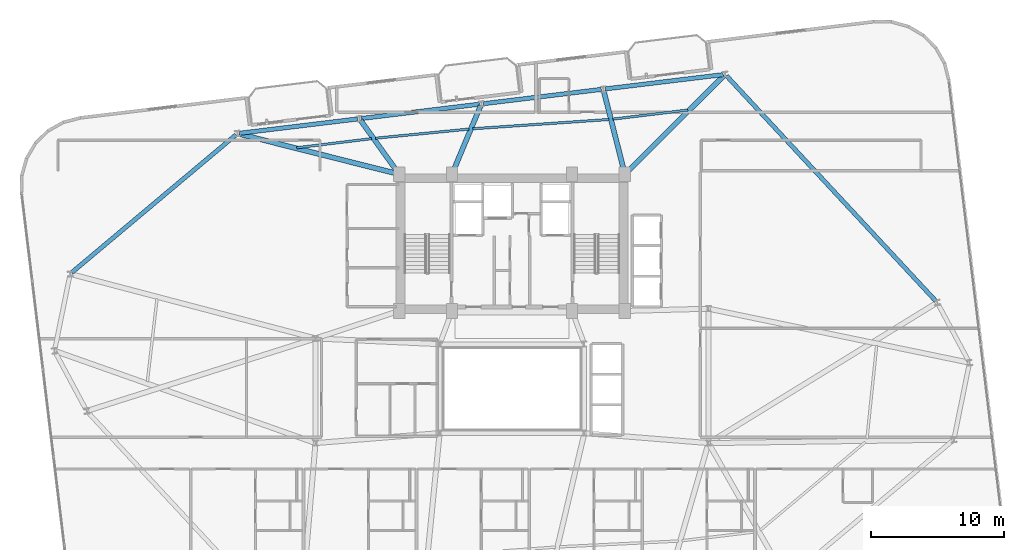
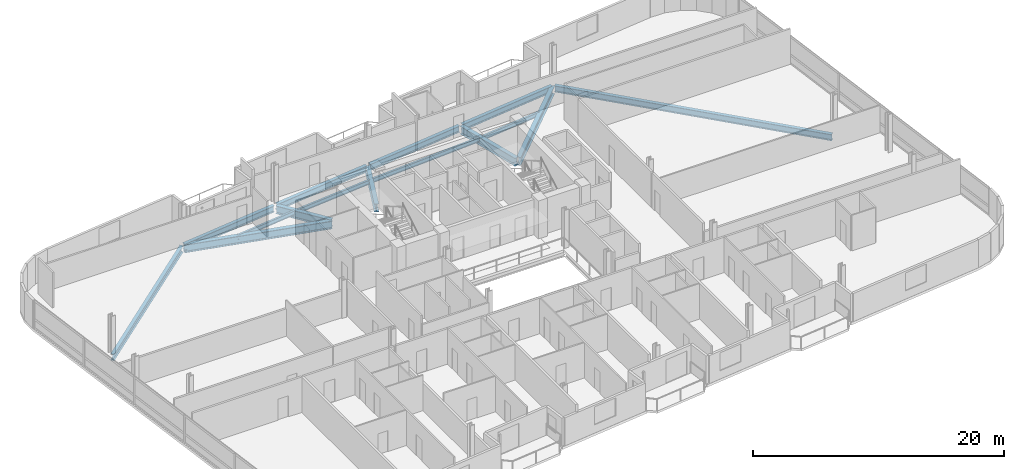
# One storey, part 9 of 23: 15 beams.
"""IFC4 building model written with IfcOpenShell, lengths in metres."""

from ifc_helpers import new_model, si_unit, direction, frame, origin, origin_2d, place, context, subcontext, project, spatial, i_section, extrude, material, material_profile, profile_set, type_object, element, save


model = new_model("IFC4")

# Units and contexts
model_context = context("Model", 3, precision=1e-05, world=origin(), true_north=direction((0.0, 1.0)))
body_context = subcontext(model_context, "Body", "Model", "MODEL_VIEW")
ifc_project = project(units=[si_unit("LENGTHUNIT", "METRE"), si_unit("AREAUNIT", "SQUARE_METRE"), si_unit("VOLUMEUNIT", "CUBIC_METRE"), si_unit("PLANEANGLEUNIT", "RADIAN"), si_unit("MASSUNIT", "GRAM", prefix="KILO")], contexts=[model_context])

# Site, building, storey
site_placement = place(None, origin())
site = spatial("IfcSite", under=ifc_project, at=site_placement, CompositionType="ELEMENT")
building_placement = place(site_placement, origin())
building = spatial("IfcBuilding", under=site, at=building_placement, Name="Varnelok Gate Tower", CompositionType="ELEMENT")
storey_placement = place(building_placement, frame((0.0, 0.0, 193.10009765625)))
storey = spatial("IfcBuildingStorey", under=building, at=storey_placement, Name="L49", CompositionType="ELEMENT", Elevation=193.10009765625)

# Beams
ifc_material = material(Name="Structural Steel ASTM A992 Grade 50", Category="steel")
ifc_material_profile_1 = material_profile(ifc_material, i_section(OverallWidth=0.180908203125, OverallDepth=0.4169921875, WebThickness=0.010986328125, FlangeThickness=0.018310546875, FilletRadius=0.013916015625, at=origin_2d()), Name="W16X57")
ifc_profile_set_1 = profile_set([ifc_material_profile_1], Name="Structural Steel ASTM A992 Grade 50")
beam_type_1 = type_object("IfcBeamType", Name="BM-JST-W16X57", PredefinedType="JOIST", material=ifc_profile_set_1)
beam_1_placement = place(storey_placement, frame((52.435546875, 43.881591796875, -0.45849609375), z_axis=(-0.992732072323, -0.12034547179, 0.0), x_axis=(0.12034547179, -0.992732072323, 0.0)))
element("IfcBeam", 1, at=beam_1_placement, inside=storey, type_object=beam_type_1, Name="L49 Sector Floor Joist 7", PredefinedType="JOIST", context=body_context, shape_type="SweptSolid", body=[
    extrude(i_section(OverallWidth=0.180908203125, OverallDepth=0.4169921875, WebThickness=0.010986328125, FlangeThickness=0.018310546875, FilletRadius=0.013916015625, at=origin_2d()), origin(), (0.0, 0.0, 1.0), 5.686279296875),
])
beam_2_placement = place(storey_placement, frame((46.511962890625, 43.1708984375, -0.45849609375), z_axis=(-0.997689983187, -0.067931564447, 0.0), x_axis=(0.067931564447, -0.997689983187, 0.0)))
element("IfcBeam", 2, at=beam_2_placement, inside=storey, type_object=beam_type_1, Name="L49 Sector Floor Joist 8", PredefinedType="JOIST", context=body_context, shape_type="SweptSolid", body=[
    extrude(i_section(OverallWidth=0.180908203125, OverallDepth=0.4169921875, WebThickness=0.010986328125, FlangeThickness=0.018310546875, FilletRadius=0.013916015625, at=origin_2d()), origin(), (0.0, 0.0, 1.0), 10.289306640625),
])
beam_3_placement = place(storey_placement, frame((35.96728515625, 42.44873046875, -0.45849609375), z_axis=(-0.995244965706, -0.097403584307, 0.0), x_axis=(0.097403584307, -0.995244965706, 0.0)))
element("IfcBeam", 3, at=beam_3_placement, inside=storey, type_object=beam_type_1, Name="L49 Sector Floor Joist 9", PredefinedType="JOIST", context=body_context, shape_type="SweptSolid", body=[
    extrude(i_section(OverallWidth=0.180908203125, OverallDepth=0.4169921875, WebThickness=0.010986328125, FlangeThickness=0.018310546875, FilletRadius=0.013916015625, at=origin_2d()), origin(), (0.0, 0.0, 1.0), 7.0908203125),
])
beam_4_placement = place(storey_placement, frame((28.6318359375, 41.7275390625, -0.45849609375), z_axis=(-0.992732072323, -0.12034547179, 0.0), x_axis=(0.12034547179, -0.992732072323, 0.0)))
element("IfcBeam", 4, at=beam_4_placement, inside=storey, type_object=beam_type_1, Name="L49 Sector Floor Joist 10", PredefinedType="JOIST", context=body_context, shape_type="SweptSolid", body=[
    extrude(i_section(OverallWidth=0.180908203125, OverallDepth=0.4169921875, WebThickness=0.010986328125, FlangeThickness=0.018310546875, FilletRadius=0.013916015625, at=origin_2d()), origin(), (0.0, 0.0, 1.0), 5.686279296875),
])
ifc_material_profile_2 = material_profile(ifc_material, i_section(OverallWidth=0.381103515625, OverallDepth=0.77294921875, WebThickness=0.0166015625, FlangeThickness=0.027099609375, FilletRadius=0.02197265625, at=origin_2d()), Name="W30X173")
ifc_profile_set_2 = profile_set([ifc_material_profile_2], Name="Structural Steel ASTM A992 Grade 50")
beam_type_2 = type_object("IfcBeamType", Name="BM-PRI-W30X173", PredefinedType="BEAM", material=ifc_profile_set_2)
beam_5_placement = place(storey_placement, frame((47.806396484375, 39.15576171875, -0.63671875), z_axis=(0.708989690383, 0.705218844707, 0.0), x_axis=(-0.705218844707, 0.708989690383, 0.0)))
element("IfcBeam", 5, at=beam_5_placement, inside=storey, type_object=beam_type_2, Name="L49 Radial Floor Girder 9", PredefinedType="BEAM", context=body_context, shape_type="SweptSolid", body=[
    extrude(i_section(OverallWidth=0.381103515625, OverallDepth=0.77294921875, WebThickness=0.0166015625, FlangeThickness=0.027099609375, FilletRadius=0.02197265625, at=origin_2d()), origin(), (0.0, 0.0, 1.0), 10.359130859375),
])
beam_6_placement = place(storey_placement, frame((47.6630859375, 39.1953125, -0.63671875), z_axis=(-0.246004343354, 0.969268725922, 0.0), x_axis=(-0.969268725922, -0.246004343354, 0.0)))
element("IfcBeam", 6, at=beam_6_placement, inside=storey, type_object=beam_type_2, Name="L49 Radial Floor Girder 10", PredefinedType="BEAM", context=body_context, shape_type="SweptSolid", body=[
    extrude(i_section(OverallWidth=0.381103515625, OverallDepth=0.77294921875, WebThickness=0.0166015625, FlangeThickness=0.027099609375, FilletRadius=0.02197265625, at=origin_2d()), origin(), (0.0, 0.0, 1.0), 6.306884765625),
])
beam_7_placement = place(storey_placement, frame((34.73779296875, 39.1884765625, -0.63671875), z_axis=(0.38573799398, 0.922608367619, 0.0), x_axis=(-0.922608367619, 0.38573799398, 0.0)))
element("IfcBeam", 7, at=beam_7_placement, inside=storey, type_object=beam_type_2, Name="L49 Radial Floor Girder 11", PredefinedType="BEAM", context=body_context, shape_type="SweptSolid", body=[
    extrude(i_section(OverallWidth=0.381103515625, OverallDepth=0.77294921875, WebThickness=0.0166015625, FlangeThickness=0.027099609375, FilletRadius=0.02197265625, at=origin_2d()), origin(), (0.0, 0.0, 1.0), 5.434326171875),
])
beam_8_placement = place(storey_placement, frame((30.61279296875, 39.172119140625, -0.63671875), z_axis=(-0.582178250272, 0.81306118153, 0.0), x_axis=(-0.81306118153, -0.582178250272, 0.0)))
element("IfcBeam", 8, at=beam_8_placement, inside=storey, type_object=beam_type_2, Name="L49 Radial Floor Girder 12", PredefinedType="BEAM", context=body_context, shape_type="SweptSolid", body=[
    extrude(i_section(OverallWidth=0.381103515625, OverallDepth=0.77294921875, WebThickness=0.0166015625, FlangeThickness=0.027099609375, FilletRadius=0.02197265625, at=origin_2d()), origin(), (0.0, 0.0, 1.0), 4.837646484375),
])
beam_9_placement = place(storey_placement, frame((30.554443359375, 39.086669921875, -0.63671875), z_axis=(-0.969752143123, 0.244091746906, 0.0), x_axis=(-0.244091746906, -0.969752143123, 0.0)))
element("IfcBeam", 9, at=beam_9_placement, inside=storey, type_object=beam_type_2, Name="L49 Radial Floor Girder 13", PredefinedType="BEAM", context=body_context, shape_type="SweptSolid", body=[
    extrude(i_section(OverallWidth=0.381103515625, OverallDepth=0.77294921875, WebThickness=0.0166015625, FlangeThickness=0.027099609375, FilletRadius=0.02197265625, at=origin_2d()), origin(), (0.0, 0.0, 1.0), 12.25341796875),
])
ifc_material_profile_3 = material_profile(ifc_material, i_section(OverallWidth=0.323974609375, OverallDepth=0.611083984375, WebThickness=0.0126953125, FlangeThickness=0.01904296875, FilletRadius=0.01806640625, at=origin_2d()), Name="W24X104")
ifc_profile_set_3 = profile_set([ifc_material_profile_3], Name="Structural Steel ASTM A992 Grade 50")
beam_type_3 = type_object("IfcBeamType", Name="BM-SPN-W24X104", PredefinedType="SPANDREL", material=ifc_profile_set_3)
beam_10_placement = place(storey_placement, frame((71.123291015625, 29.49365234375, -0.5556640625), z_axis=(-0.680734113922, 0.732530590585, 0.0), x_axis=(-0.732530590585, -0.680734113922, 0.0)))
element("IfcBeam", 10, at=beam_10_placement, inside=storey, type_object=beam_type_3, Name="L49 Perimeter Spandrel Beam 8", PredefinedType="SPANDREL", context=body_context, shape_type="SweptSolid", body=[
    extrude(i_section(OverallWidth=0.323974609375, OverallDepth=0.611083984375, WebThickness=0.0126953125, FlangeThickness=0.01904296875, FilletRadius=0.01806640625, at=origin_2d()), origin(), (0.0, 0.0, 1.0), 23.1572265625),
])
for number, where, z_axis, x_axis, name in (
    (11, (55.1083984375, 46.548828125, -0.5556640625), (-0.992734670707, -0.120324035735, 0.0), (0.120324035735, -0.992734670707, 0.0), "L49 Perimeter Spandrel Beam 9"),
    (12, (45.92578125, 45.435791015625, -0.5556640625), (-0.99273141198, -0.120350918849, 0.0), (0.120350918849, -0.99273141198, 0.0), "L49 Perimeter Spandrel Beam 10"),
    (13, (36.742919921875, 44.322509765625, -0.5556640625), (-0.992734670707, -0.120324035735, 0.0), (0.120324035735, -0.992734670707, 0.0), "L49 Perimeter Spandrel Beam 11"),
    (14, (27.56005859375, 43.209228515625, -0.5556640625), (-0.992734670707, -0.120324035735, 0.0), (0.120324035735, -0.992734670707, 0.0), "L49 Perimeter Spandrel Beam 12"),
):
    element("IfcBeam", number, at=place(storey_placement, frame(where, z_axis=z_axis, x_axis=x_axis)), inside=storey, type_object=beam_type_3, Name=name, PredefinedType="SPANDREL", context=body_context, shape_type="SweptSolid", body=[
        extrude(i_section(OverallWidth=0.323974609375, OverallDepth=0.611083984375, WebThickness=0.0126953125, FlangeThickness=0.01904296875, FilletRadius=0.01806640625, at=origin_2d()), origin(), (0.0, 0.0, 1.0), 8.949951171875),
    ])
beam_11_placement = place(storey_placement, frame((18.411376953125, 42.017822265625, -0.5556640625), z_axis=(-0.766099582792, -0.642721891059, 0.0), x_axis=(0.642721891059, -0.766099582792, 0.0)))
element("IfcBeam", 15, at=beam_11_placement, inside=storey, type_object=beam_type_3, Name="L49 Perimeter Spandrel Beam 13", PredefinedType="SPANDREL", context=body_context, shape_type="SweptSolid", body=[
    extrude(i_section(OverallWidth=0.323974609375, OverallDepth=0.611083984375, WebThickness=0.0126953125, FlangeThickness=0.01904296875, FilletRadius=0.01806640625, at=origin_2d()), origin(), (0.0, 0.0, 1.0), 16.151123046875),
])

save(model, "model.ifc")
